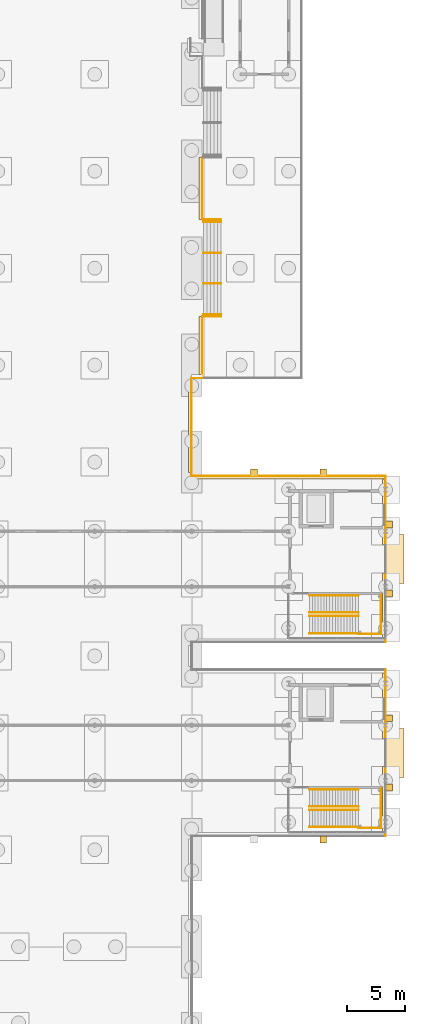
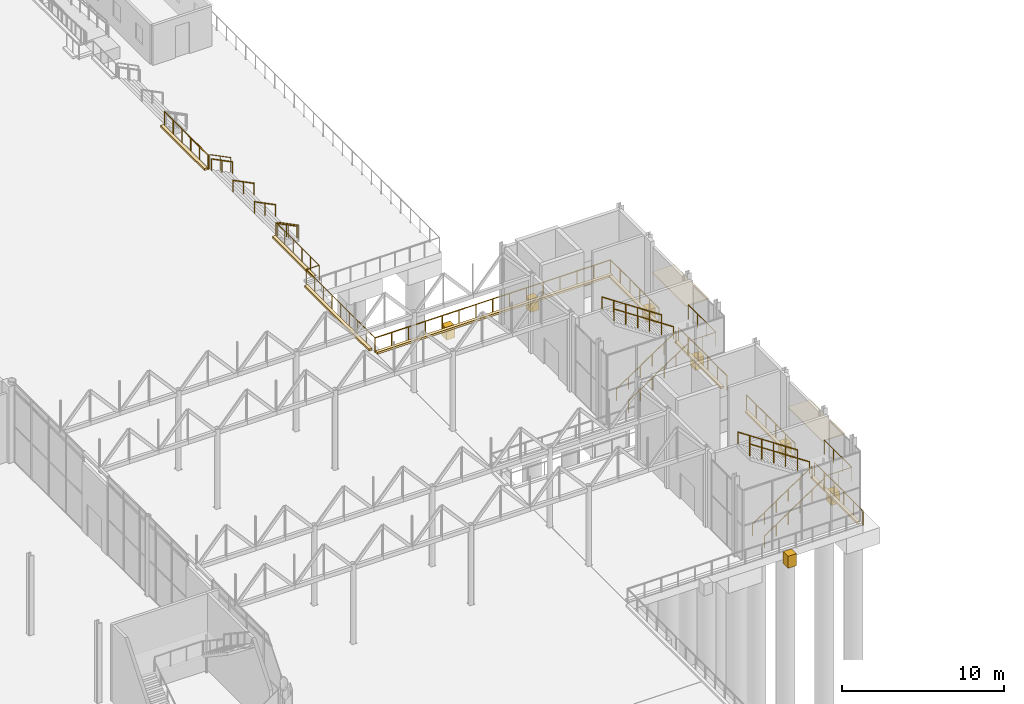
# One storey, part 198 of 212: 23 railings, 17 coverings.
"""IFC4 building model written with IfcOpenShell, lengths in metres."""

from ifc_helpers import new_model, si_unit, direction, frame, origin, origin_2d, place, context, subcontext, project, spatial, rectangle, circle, extrude, material, layer, layer_set, type_object, element, save


model = new_model("IFC4")

# Units and contexts
model_context = context("Model", 3, precision=1e-05, world=origin(), true_north=direction((0.0, 1.0)))
body_context = subcontext(model_context, "Body", "Model", "MODEL_VIEW")
ifc_project = project(units=[si_unit("LENGTHUNIT", "METRE"), si_unit("AREAUNIT", "SQUARE_METRE"), si_unit("VOLUMEUNIT", "CUBIC_METRE"), si_unit("PLANEANGLEUNIT", "RADIAN"), si_unit("MASSUNIT", "GRAM", prefix="KILO")], contexts=[model_context])

# Site, building, storey
site_placement = place(None, origin())
site = spatial("IfcSite", under=ifc_project, at=site_placement, CompositionType="ELEMENT")
building_placement = place(site_placement, origin())
building = spatial("IfcBuilding", under=site, at=building_placement, Name="Catenary Quay Ferry Terminal", CompositionType="ELEMENT")
storey_placement = place(building_placement, origin())
storey = spatial("IfcBuildingStorey", under=building, at=storey_placement, Name="L00", CompositionType="ELEMENT", Elevation=0.0)

# Coverings
ifc_material_1 = material(Name="Rubber, EPDM 70 Shore A")
ifc_layer_1 = layer(ifc_material_1, 0.60009765625)
ifc_layer_set_1 = layer_set([ifc_layer_1], Name="FD1")
covering_type_1 = type_object("IfcCoveringType", Name="FD1", PredefinedType="CLADDING", material=ifc_layer_set_1)
for number, where, z_axis, x_axis, name in (
    (1, (134.699951171875, 72.60009765625, -0.89990234375), (0.0, 0.0, 1.0), (1.0, 0.0, 0.0), "Rubber cell fender"),
    (2, (134.699951171875, 78.60009765625, -0.89990234375), (0.0, 0.0, 1.0), (1.0, 0.0, 0.0), "Rubber cell fender"),
    (3, (129.0, 68.10009765625, -0.89990234375), (0.0, 0.0, 1.0), (1.0, 0.0, 0.0), "Rubber cell fender"),
    (4, (134.699951171875, 89.39990234375, -0.89990234375), (0.0, 0.0, 1.0), (1.0, 0.0, 0.0), "Rubber cell fender"),
    (5, (134.699951171875, 95.39990234375, -0.89990234375), (0.0, 0.0, 1.0), (1.0, 0.0, 0.0), "Rubber cell fender"),
    (6, (123.0, 99.89990234375, -0.89990234375), (0.0, 0.0, 1.0), (1.0, 0.0, 0.0), "Rubber cell fender"),
    (7, (129.0, 99.89990234375, -0.89990234375), (0.0, 0.0, 1.0), (1.0, 0.0, 0.0), "Rubber cell fender"),
):
    element("IfcCovering", number, at=place(storey_placement, frame(where, z_axis=z_axis, x_axis=x_axis)), inside=storey, type_object=covering_type_1, Name=name, PredefinedType="CLADDING", context=body_context, shape_type="SweptSolid", body=[
        extrude(rectangle(XDim=0.60009765625, YDim=0.60009765625, at=origin_2d()), origin(), (0.0, 0.0, 1.0), 0.89990234375),
    ])

# Railings
ifc_material_2 = material(Name="Steel and glass", Category="steel")
railing_type_1 = type_object("IfcRailingType", Name="GH1", PredefinedType="GUARDRAIL", material=ifc_material_2)
railing_1_placement = place(storey_placement, frame((132.050048828125, 69.10009765625, 3.0)))
element("IfcRailing", 8, at=railing_1_placement, inside=storey, type_object=railing_type_1, Name="Berth head stair guard HB1", PredefinedType="GUARDRAIL", context=body_context, shape_type="SweptSolid", body=[
    extrude(circle(Radius=0.02392578125, at=origin_2d()), frame((0.0, 0.0, 1.076171875), z_axis=(1.0, 0.0, 0.0), x_axis=(0.0, 1.0, 0.0)), (0.0, 0.0, 1.0), 1.949951171875),
    extrude(circle(Radius=0.02392578125, at=origin_2d()), frame((1.949951171875, 0.0, 1.076171875), z_axis=(0.0, 1.0, 0.0), x_axis=(-1.0, 0.0, 0.0)), (0.0, 0.0, 1.0), 3.39990234375),
    extrude(circle(Radius=0.02099609375, at=origin_2d()), origin(), (0.0, 0.0, 1.0), 1.052001953125),
    extrude(circle(Radius=0.02099609375, at=origin_2d()), frame((0.97509765625, 0.0, 0.0)), (0.0, 0.0, 1.0), 1.052001953125),
    extrude(circle(Radius=0.02099609375, at=origin_2d()), frame((1.949951171875, 0.0, 0.0)), (0.0, 0.0, 1.0), 1.052001953125),
    extrude(circle(Radius=0.02099609375, at=origin_2d()), frame((1.949951171875, 1.13330078125, 0.0)), (0.0, 0.0, 1.0), 1.052001953125),
    extrude(circle(Radius=0.02099609375, at=origin_2d()), frame((1.949951171875, 2.2666015625, 0.0)), (0.0, 0.0, 1.0), 1.052001953125),
    extrude(circle(Radius=0.02099609375, at=origin_2d()), frame((1.949951171875, 3.39990234375, 0.0)), (0.0, 0.0, 1.0), 1.052001953125),
])
railing_2_placement = place(storey_placement, frame((132.050048828125, 85.89990234375, 3.0)))
element("IfcRailing", 9, at=railing_2_placement, inside=storey, type_object=railing_type_1, Name="Berth head stair guard HB2", PredefinedType="GUARDRAIL", context=body_context, shape_type="SweptSolid", body=[
    extrude(circle(Radius=0.02392578125, at=origin_2d()), frame((0.0, 0.0, 1.076171875), z_axis=(1.0, 0.0, 0.0), x_axis=(0.0, 1.0, 0.0)), (0.0, 0.0, 1.0), 1.949951171875),
    extrude(circle(Radius=0.02392578125, at=origin_2d()), frame((1.949951171875, 0.0, 1.076171875), z_axis=(0.0, 1.0, 0.0), x_axis=(-1.0, 0.0, 0.0)), (0.0, 0.0, 1.0), 3.400146484375),
    extrude(circle(Radius=0.02099609375, at=origin_2d()), origin(), (0.0, 0.0, 1.0), 1.052001953125),
    extrude(circle(Radius=0.02099609375, at=origin_2d()), frame((0.97509765625, 0.0, 0.0)), (0.0, 0.0, 1.0), 1.052001953125),
    extrude(circle(Radius=0.02099609375, at=origin_2d()), frame((1.949951171875, 0.0, 0.0)), (0.0, 0.0, 1.0), 1.052001953125),
    extrude(circle(Radius=0.02099609375, at=origin_2d()), frame((1.949951171875, 1.13330078125, 0.0)), (0.0, 0.0, 1.0), 1.052001953125),
    extrude(circle(Radius=0.02099609375, at=origin_2d()), frame((1.949951171875, 2.266845703125, 0.0)), (0.0, 0.0, 1.0), 1.052001953125),
    extrude(circle(Radius=0.02099609375, at=origin_2d()), frame((1.949951171875, 3.400146484375, 0.0)), (0.0, 0.0, 1.0), 1.052001953125),
])
ifc_material_3 = material(Name="Galvanised steel", Category="steel")
railing_type_2 = type_object("IfcRailingType", Name="GQ1", PredefinedType="GUARDRAIL", material=ifc_material_3)
for number, where, name in (
    (10, (134.39990234375, 68.39990234375, 0.0), "EAST EDGE OF BH1"),
    (11, (134.39990234375, 76.800048828125, 0.0), "EAST EDGE OF BH1"),
):
    element("IfcRailing", number, at=place(storey_placement, frame(where)), inside=storey, type_object=railing_type_2, Name=name, PredefinedType="GUARDRAIL", context=body_context, shape_type="SweptSolid", body=[
        extrude(circle(Radius=0.02392578125, at=origin_2d()), frame((0.0, 0.0, 1.076171875), z_axis=(0.0, 1.0, 0.0), x_axis=(-1.0, 0.0, 0.0)), (0.0, 0.0, 1.0), 6.0),
        extrude(circle(Radius=0.02099609375, at=origin_2d()), origin(), (0.0, 0.0, 1.0), 1.052001953125),
        extrude(circle(Radius=0.02099609375, at=origin_2d()), frame((0.0, 1.199951171875, 0.0)), (0.0, 0.0, 1.0), 1.052001953125),
        extrude(circle(Radius=0.02099609375, at=origin_2d()), frame((0.0, 2.39990234375, 0.0)), (0.0, 0.0, 1.0), 1.052001953125),
        extrude(circle(Radius=0.02099609375, at=origin_2d()), frame((0.0, 3.60009765625, 0.0)), (0.0, 0.0, 1.0), 1.052001953125),
        extrude(circle(Radius=0.02099609375, at=origin_2d()), frame((0.0, 4.800048828125, 0.0)), (0.0, 0.0, 1.0), 1.052001953125),
        extrude(circle(Radius=0.02099609375, at=origin_2d()), frame((0.0, 6.0, 0.0)), (0.0, 0.0, 1.0), 1.052001953125),
    ])
railing_3_placement = place(storey_placement, frame((117.60009765625, 99.60009765625, 0.0)))
element("IfcRailing", 12, at=railing_3_placement, inside=storey, type_object=railing_type_2, Name="NORTH EDGE OF BH2", PredefinedType="GUARDRAIL", context=body_context, shape_type="SweptSolid", body=[
    extrude(circle(Radius=0.02392578125, at=origin_2d()), frame((0.0, 0.0, 1.076171875), z_axis=(1.0, 0.0, 0.0), x_axis=(0.0, 1.0, 0.0)), (0.0, 0.0, 1.0), 16.7998046875),
    extrude(circle(Radius=0.02099609375, at=origin_2d()), origin(), (0.0, 0.0, 1.0), 1.052001953125),
    extrude(circle(Radius=0.02099609375, at=origin_2d()), frame((1.199951171875, 0.0, 0.0)), (0.0, 0.0, 1.0), 1.052001953125),
    extrude(circle(Radius=0.02099609375, at=origin_2d()), frame((2.39990234375, 0.0, 0.0)), (0.0, 0.0, 1.0), 1.052001953125),
    extrude(circle(Radius=0.02099609375, at=origin_2d()), frame((3.599853515625, 0.0, 0.0)), (0.0, 0.0, 1.0), 1.052001953125),
    extrude(circle(Radius=0.02099609375, at=origin_2d()), frame((4.800048828125, 0.0, 0.0)), (0.0, 0.0, 1.0), 1.052001953125),
    extrude(circle(Radius=0.02099609375, at=origin_2d()), frame((6.0, 0.0, 0.0)), (0.0, 0.0, 1.0), 1.052001953125),
    extrude(circle(Radius=0.02099609375, at=origin_2d()), frame((7.199951171875, 0.0, 0.0)), (0.0, 0.0, 1.0), 1.052001953125),
    extrude(circle(Radius=0.02099609375, at=origin_2d()), frame((8.39990234375, 0.0, 0.0)), (0.0, 0.0, 1.0), 1.052001953125),
    extrude(circle(Radius=0.02099609375, at=origin_2d()), frame((9.599853515625, 0.0, 0.0)), (0.0, 0.0, 1.0), 1.052001953125),
    extrude(circle(Radius=0.02099609375, at=origin_2d()), frame((10.7998046875, 0.0, 0.0)), (0.0, 0.0, 1.0), 1.052001953125),
    extrude(circle(Radius=0.02099609375, at=origin_2d()), frame((11.999755859375, 0.0, 0.0)), (0.0, 0.0, 1.0), 1.052001953125),
    extrude(circle(Radius=0.02099609375, at=origin_2d()), frame((13.199951171875, 0.0, 0.0)), (0.0, 0.0, 1.0), 1.052001953125),
    extrude(circle(Radius=0.02099609375, at=origin_2d()), frame((14.39990234375, 0.0, 0.0)), (0.0, 0.0, 1.0), 1.052001953125),
    extrude(circle(Radius=0.02099609375, at=origin_2d()), frame((15.599853515625, 0.0, 0.0)), (0.0, 0.0, 1.0), 1.052001953125),
    extrude(circle(Radius=0.02099609375, at=origin_2d()), frame((16.7998046875, 0.0, 0.0)), (0.0, 0.0, 1.0), 1.052001953125),
])
for number, where, name in (
    (13, (134.39990234375, 85.199951171875, 0.0), "EAST EDGE OF BH2"),
    (14, (134.39990234375, 93.60009765625, 0.0), "EAST EDGE OF BH2"),
):
    element("IfcRailing", number, at=place(storey_placement, frame(where)), inside=storey, type_object=railing_type_2, Name=name, PredefinedType="GUARDRAIL", context=body_context, shape_type="SweptSolid", body=[
        extrude(circle(Radius=0.02392578125, at=origin_2d()), frame((0.0, 0.0, 1.076171875), z_axis=(0.0, 1.0, 0.0), x_axis=(-1.0, 0.0, 0.0)), (0.0, 0.0, 1.0), 6.0),
        extrude(circle(Radius=0.02099609375, at=origin_2d()), origin(), (0.0, 0.0, 1.0), 1.052001953125),
        extrude(circle(Radius=0.02099609375, at=origin_2d()), frame((0.0, 1.199951171875, 0.0)), (0.0, 0.0, 1.0), 1.052001953125),
        extrude(circle(Radius=0.02099609375, at=origin_2d()), frame((0.0, 2.39990234375, 0.0)), (0.0, 0.0, 1.0), 1.052001953125),
        extrude(circle(Radius=0.02099609375, at=origin_2d()), frame((0.0, 3.60009765625, 0.0)), (0.0, 0.0, 1.0), 1.052001953125),
        extrude(circle(Radius=0.02099609375, at=origin_2d()), frame((0.0, 4.800048828125, 0.0)), (0.0, 0.0, 1.0), 1.052001953125),
        extrude(circle(Radius=0.02099609375, at=origin_2d()), frame((0.0, 6.0, 0.0)), (0.0, 0.0, 1.0), 1.052001953125),
    ])
railing_4_placement = place(storey_placement, frame((117.60009765625, 99.60009765625, 0.0)))
element("IfcRailing", 15, at=railing_4_placement, inside=storey, type_object=railing_type_2, Name="RIVER EDGE OF THE QUAY DECK", PredefinedType="GUARDRAIL", context=body_context, shape_type="SweptSolid", body=[
    extrude(circle(Radius=0.02392578125, at=origin_2d()), frame((0.0, 0.0, 1.076171875), z_axis=(0.0, 1.0, 0.0), x_axis=(-1.0, 0.0, 0.0)), (0.0, 0.0, 1.0), 8.5),
    extrude(circle(Radius=0.02392578125, at=origin_2d()), frame((0.0, 8.5, 1.076171875), z_axis=(1.0, 0.0, 0.0), x_axis=(0.0, 1.0, 0.0)), (0.0, 0.0, 1.0), 0.919921875),
    extrude(circle(Radius=0.02392578125, at=origin_2d()), frame((0.919921875, 8.5, 1.076171875), z_axis=(0.0, 1.0, 0.0), x_axis=(-1.0, 0.0, 0.0)), (0.0, 0.0, 1.0), 5.2998046875),
    extrude(circle(Radius=0.02099609375, at=origin_2d()), origin(), (0.0, 0.0, 1.0), 1.052001953125),
    extrude(circle(Radius=0.02099609375, at=origin_2d()), frame((0.0, 1.0625, 0.0)), (0.0, 0.0, 1.0), 1.052001953125),
    extrude(circle(Radius=0.02099609375, at=origin_2d()), frame((0.0, 2.125, 0.0)), (0.0, 0.0, 1.0), 1.052001953125),
    extrude(circle(Radius=0.02099609375, at=origin_2d()), frame((0.0, 3.1875, 0.0)), (0.0, 0.0, 1.0), 1.052001953125),
    extrude(circle(Radius=0.02099609375, at=origin_2d()), frame((0.0, 4.25, 0.0)), (0.0, 0.0, 1.0), 1.052001953125),
    extrude(circle(Radius=0.02099609375, at=origin_2d()), frame((0.0, 5.3125, 0.0)), (0.0, 0.0, 1.0), 1.052001953125),
    extrude(circle(Radius=0.02099609375, at=origin_2d()), frame((0.0, 6.375, 0.0)), (0.0, 0.0, 1.0), 1.052001953125),
    extrude(circle(Radius=0.02099609375, at=origin_2d()), frame((0.0, 7.4375, 0.0)), (0.0, 0.0, 1.0), 1.052001953125),
    extrude(circle(Radius=0.02099609375, at=origin_2d()), frame((0.0, 8.5, 0.0)), (0.0, 0.0, 1.0), 1.052001953125),
    extrude(circle(Radius=0.02099609375, at=origin_2d()), frame((0.919921875, 8.5, 0.0)), (0.0, 0.0, 1.0), 1.052001953125),
    extrude(circle(Radius=0.02099609375, at=origin_2d()), frame((0.919921875, 9.56005859375, 0.0)), (0.0, 0.0, 1.0), 1.052001953125),
    extrude(circle(Radius=0.02099609375, at=origin_2d()), frame((0.919921875, 10.619873046875, 0.0)), (0.0, 0.0, 1.0), 1.052001953125),
    extrude(circle(Radius=0.02099609375, at=origin_2d()), frame((0.919921875, 11.679931640625, 0.0)), (0.0, 0.0, 1.0), 1.052001953125),
    extrude(circle(Radius=0.02099609375, at=origin_2d()), frame((0.919921875, 12.73974609375, 0.0)), (0.0, 0.0, 1.0), 1.052001953125),
    extrude(circle(Radius=0.02099609375, at=origin_2d()), frame((0.919921875, 13.7998046875, 0.0)), (0.0, 0.0, 1.0), 1.052001953125),
])
railing_5_placement = place(storey_placement, frame((118.52001953125, 121.800048828125, 0.0)))
element("IfcRailing", 16, at=railing_5_placement, inside=storey, type_object=railing_type_2, Name="EDGE OF THE QUAY-EDGE BAND", PredefinedType="GUARDRAIL", context=body_context, shape_type="SweptSolid", body=[
    extrude(circle(Radius=0.02392578125, at=origin_2d()), frame((0.0, 0.0, 1.076171875), z_axis=(0.0, 1.0, 0.0), x_axis=(-1.0, 0.0, 0.0)), (0.0, 0.0, 1.0), 5.39990234375),
    extrude(circle(Radius=0.02099609375, at=origin_2d()), origin(), (0.0, 0.0, 1.0), 1.052001953125),
    extrude(circle(Radius=0.02099609375, at=origin_2d()), frame((0.0, 1.080078125, 0.0)), (0.0, 0.0, 1.0), 1.052001953125),
    extrude(circle(Radius=0.02099609375, at=origin_2d()), frame((0.0, 2.159912109375, 0.0)), (0.0, 0.0, 1.0), 1.052001953125),
    extrude(circle(Radius=0.02099609375, at=origin_2d()), frame((0.0, 3.239990234375, 0.0)), (0.0, 0.0, 1.0), 1.052001953125),
    extrude(circle(Radius=0.02099609375, at=origin_2d()), frame((0.0, 4.31982421875, 0.0)), (0.0, 0.0, 1.0), 1.052001953125),
    extrude(circle(Radius=0.02099609375, at=origin_2d()), frame((0.0, 5.39990234375, 0.0)), (0.0, 0.0, 1.0), 1.052001953125),
])
ifc_material_4 = material(Name="Galvanised steel", Category="steel")
railing_type_3 = type_object("IfcRailingType", Name="GR2", PredefinedType="GUARDRAIL", material=ifc_material_4)
for number, where, name in (
    (17, (118.6298828125, 113.39990234375, 0.0), "Guard beside river steps 1"),
    (18, (118.6298828125, 121.800048828125, 0.0), "Guard beside river steps 1"),
):
    element("IfcRailing", number, at=place(storey_placement, frame(where)), inside=storey, type_object=railing_type_3, Name=name, PredefinedType="GUARDRAIL", context=body_context, shape_type="SweptSolid", body=[
        extrude(circle(Radius=0.02392578125, at=origin_2d()), frame((0.0, 0.0, 1.076171875), z_axis=(0.894427191, 0.0, -0.4472135955), x_axis=(0.0, 1.0, 0.0)), (0.0, 0.0, 1.0), 1.677001953125),
        extrude(circle(Radius=0.02099609375, at=origin_2d()), origin(), (0.0, 0.0, 1.0), 1.052001953125),
        extrude(circle(Radius=0.02099609375, at=origin_2d()), frame((0.75, 0.0, -0.375)), (0.0, 0.0, 1.0), 1.052001953125),
        extrude(circle(Radius=0.02099609375, at=origin_2d()), frame((1.5, 0.0, -0.75)), (0.0, 0.0, 1.0), 1.052001953125),
    ])
ifc_material_5 = material(Name="Stainless steel", Category="steel")
railing_type_4 = type_object("IfcRailingType", Name="HR1", PredefinedType="HANDRAIL", material=ifc_material_5)
for number, where, name in (
    (19, (127.800048828125, 69.159912109375, 0.166748046875), "HB1 F1A handrail HR47"),
    (20, (127.800048828125, 70.639892578125, 0.166748046875), "HB1 F1B handrail HR48"),
):
    element("IfcRailing", number, at=place(storey_placement, frame(where)), inside=storey, type_object=railing_type_4, Name=name, PredefinedType="HANDRAIL", context=body_context, shape_type="SweptSolid", body=[
        extrude(circle(Radius=0.02392578125, at=origin_2d()), frame((0.0, 0.0, 0.8759765625), z_axis=(0.832057647715, 0.0, 0.554689166001), x_axis=(0.0, 1.0, 0.0)), (0.0, 0.0, 1.0), 5.10791015625),
        extrude(circle(Radius=0.02099609375, at=origin_2d()), origin(), (0.0, 0.0, 1.0), 0.851806640625),
        extrude(circle(Radius=0.02099609375, at=origin_2d()), frame((0.85009765625, 0.0, 0.566650390625)), (0.0, 0.0, 1.0), 0.851806640625),
        extrude(circle(Radius=0.02099609375, at=origin_2d()), frame((1.699951171875, 0.0, 1.13330078125)), (0.0, 0.0, 1.0), 0.851806640625),
        extrude(circle(Radius=0.02099609375, at=origin_2d()), frame((2.550048828125, 0.0, 1.699951171875)), (0.0, 0.0, 1.0), 0.851806640625),
        extrude(circle(Radius=0.02099609375, at=origin_2d()), frame((3.39990234375, 0.0, 2.2666015625)), (0.0, 0.0, 1.0), 0.851806640625),
        extrude(circle(Radius=0.02099609375, at=origin_2d()), frame((4.25, 0.0, 2.833251953125)), (0.0, 0.0, 1.0), 0.851806640625),
    ])
for number, where, name in (
    (21, (132.050048828125, 70.9599609375, 3.166748046875), "HB1 F2A handrail HR49"),
    (22, (132.050048828125, 72.43994140625, 3.166748046875), "HB1 F2B handrail HR50"),
):
    element("IfcRailing", number, at=place(storey_placement, frame(where)), inside=storey, type_object=railing_type_4, Name=name, PredefinedType="HANDRAIL", context=body_context, shape_type="SweptSolid", body=[
        extrude(circle(Radius=0.02392578125, at=origin_2d()), frame((0.0, 0.0, 0.8759765625), z_axis=(-0.832057647715, 0.0, 0.554689166001), x_axis=(0.0, -1.0, 0.0)), (0.0, 0.0, 1.0), 5.10791015625),
        extrude(circle(Radius=0.02099609375, at=origin_2d()), origin(), (0.0, 0.0, 1.0), 0.851806640625),
        extrude(circle(Radius=0.02099609375, at=origin_2d()), frame((-0.85009765625, 0.0, 0.566650390625)), (0.0, 0.0, 1.0), 0.851806640625),
        extrude(circle(Radius=0.02099609375, at=origin_2d()), frame((-1.699951171875, 0.0, 1.13330078125)), (0.0, 0.0, 1.0), 0.851806640625),
        extrude(circle(Radius=0.02099609375, at=origin_2d()), frame((-2.550048828125, 0.0, 1.699951171875)), (0.0, 0.0, 1.0), 0.851806640625),
        extrude(circle(Radius=0.02099609375, at=origin_2d()), frame((-3.39990234375, 0.0, 2.2666015625)), (0.0, 0.0, 1.0), 0.851806640625),
        extrude(circle(Radius=0.02099609375, at=origin_2d()), frame((-4.25, 0.0, 2.833251953125)), (0.0, 0.0, 1.0), 0.851806640625),
    ])
for number, where, name in (
    (23, (127.800048828125, 85.9599609375, 0.166748046875), "HB2 F1A handrail HR56"),
    (24, (127.800048828125, 87.43994140625, 0.166748046875), "HB2 F1B handrail HR57"),
):
    element("IfcRailing", number, at=place(storey_placement, frame(where)), inside=storey, type_object=railing_type_4, Name=name, PredefinedType="HANDRAIL", context=body_context, shape_type="SweptSolid", body=[
        extrude(circle(Radius=0.02392578125, at=origin_2d()), frame((0.0, 0.0, 0.8759765625), z_axis=(0.832057647715, 0.0, 0.554689166001), x_axis=(0.0, 1.0, 0.0)), (0.0, 0.0, 1.0), 5.10791015625),
        extrude(circle(Radius=0.02099609375, at=origin_2d()), origin(), (0.0, 0.0, 1.0), 0.851806640625),
        extrude(circle(Radius=0.02099609375, at=origin_2d()), frame((0.85009765625, 0.0, 0.566650390625)), (0.0, 0.0, 1.0), 0.851806640625),
        extrude(circle(Radius=0.02099609375, at=origin_2d()), frame((1.699951171875, 0.0, 1.13330078125)), (0.0, 0.0, 1.0), 0.851806640625),
        extrude(circle(Radius=0.02099609375, at=origin_2d()), frame((2.550048828125, 0.0, 1.699951171875)), (0.0, 0.0, 1.0), 0.851806640625),
        extrude(circle(Radius=0.02099609375, at=origin_2d()), frame((3.39990234375, 0.0, 2.2666015625)), (0.0, 0.0, 1.0), 0.851806640625),
        extrude(circle(Radius=0.02099609375, at=origin_2d()), frame((4.25, 0.0, 2.833251953125)), (0.0, 0.0, 1.0), 0.851806640625),
    ])
for number, where, name in (
    (25, (132.050048828125, 87.760009765625, 3.166748046875), "HB2 F2A handrail HR58"),
    (26, (132.050048828125, 89.239990234375, 3.166748046875), "HB2 F2B handrail HR59"),
):
    element("IfcRailing", number, at=place(storey_placement, frame(where)), inside=storey, type_object=railing_type_4, Name=name, PredefinedType="HANDRAIL", context=body_context, shape_type="SweptSolid", body=[
        extrude(circle(Radius=0.02392578125, at=origin_2d()), frame((0.0, 0.0, 0.8759765625), z_axis=(-0.832057647715, 0.0, 0.554689166001), x_axis=(0.0, -1.0, 0.0)), (0.0, 0.0, 1.0), 5.10791015625),
        extrude(circle(Radius=0.02099609375, at=origin_2d()), origin(), (0.0, 0.0, 1.0), 0.851806640625),
        extrude(circle(Radius=0.02099609375, at=origin_2d()), frame((-0.85009765625, 0.0, 0.566650390625)), (0.0, 0.0, 1.0), 0.851806640625),
        extrude(circle(Radius=0.02099609375, at=origin_2d()), frame((-1.699951171875, 0.0, 1.13330078125)), (0.0, 0.0, 1.0), 0.851806640625),
        extrude(circle(Radius=0.02099609375, at=origin_2d()), frame((-2.550048828125, 0.0, 1.699951171875)), (0.0, 0.0, 1.0), 0.851806640625),
        extrude(circle(Radius=0.02099609375, at=origin_2d()), frame((-3.39990234375, 0.0, 2.2666015625)), (0.0, 0.0, 1.0), 0.851806640625),
        extrude(circle(Radius=0.02099609375, at=origin_2d()), frame((-4.25, 0.0, 2.833251953125)), (0.0, 0.0, 1.0), 0.851806640625),
    ])
ifc_material_6 = material(Name="Stainless steel", Category="steel")
railing_type_5 = type_object("IfcRailingType", Name="HR2", PredefinedType="HANDRAIL", material=ifc_material_6)
for number, where, name in (
    (27, (118.6298828125, 113.60009765625, 0.0), "Handrail river steps 1"),
    (28, (118.6298828125, 116.2666015625, 0.0), "Handrail river steps 1"),
    (29, (118.6298828125, 118.933349609375, 0.0), "Handrail river steps 1"),
    (30, (118.6298828125, 121.60009765625, 0.0), "Handrail river steps 1"),
):
    element("IfcRailing", number, at=place(storey_placement, frame(where)), inside=storey, type_object=railing_type_5, Name=name, PredefinedType="HANDRAIL", context=body_context, shape_type="SweptSolid", body=[
        extrude(circle(Radius=0.02392578125, at=origin_2d()), frame((0.0, 0.0, 0.8759765625), z_axis=(0.894427191, 0.0, -0.4472135955), x_axis=(0.0, 1.0, 0.0)), (0.0, 0.0, 1.0), 1.677001953125),
        extrude(circle(Radius=0.02099609375, at=origin_2d()), origin(), (0.0, 0.0, 1.0), 0.851806640625),
        extrude(circle(Radius=0.02099609375, at=origin_2d()), frame((0.75, 0.0, -0.375)), (0.0, 0.0, 1.0), 0.851806640625),
        extrude(circle(Radius=0.02099609375, at=origin_2d()), frame((1.5, 0.0, -0.75)), (0.0, 0.0, 1.0), 0.851806640625),
    ])

# Coverings
ifc_material_7 = material(Name="Precast concrete C35/45", Category="concrete")
ifc_layer_2 = layer(ifc_material_7, 0.14990234375)
ifc_layer_set_2 = layer_set([ifc_layer_2], Name="KB1")
covering_type_2 = type_object("IfcCoveringType", Name="KB1", PredefinedType="FLOORING", material=ifc_layer_set_2)
for number, where, z_axis, x_axis, name in (
    (31, (134.22998046875, 71.5400390625, 0.0), (0.0, 0.0, 1.0), (1.0, 0.0, 0.0), "Edge kerb upstand"),
    (32, (134.22998046875, 79.659912109375, 0.0), (0.0, 0.0, 1.0), (1.0, 0.0, 0.0), "Edge kerb upstand"),
):
    element("IfcCovering", number, at=place(storey_placement, frame(where, z_axis=z_axis, x_axis=x_axis)), inside=storey, type_object=covering_type_2, Name=name, PredefinedType="FLOORING", context=body_context, shape_type="SweptSolid", body=[
        extrude(rectangle(XDim=0.219970703125, YDim=5.719970703125, at=origin_2d()), origin(), (0.0, 0.0, 1.0), 0.14990234375),
    ])
covering_1_placement = place(storey_placement, frame((126.0, 99.429931640625, 0.0), z_axis=(0.0, 0.0, 1.0), x_axis=(1.0, 0.0, 0.0)))
element("IfcCovering", 33, at=covering_1_placement, inside=storey, type_object=covering_type_2, Name="Edge kerb upstand", PredefinedType="FLOORING", context=body_context, shape_type="SweptSolid", body=[
    extrude(rectangle(XDim=16.800048828125, YDim=0.219970703125, at=origin_2d()), origin(), (0.0, 0.0, 1.0), 0.14990234375),
])
for number, where, z_axis, x_axis, name in (
    (34, (134.22998046875, 88.340087890625, 0.0), (0.0, 0.0, 1.0), (1.0, 0.0, 0.0), "Edge kerb upstand"),
    (35, (134.22998046875, 96.4599609375, 0.0), (0.0, 0.0, 1.0), (1.0, 0.0, 0.0), "Edge kerb upstand"),
):
    element("IfcCovering", number, at=place(storey_placement, frame(where, z_axis=z_axis, x_axis=x_axis)), inside=storey, type_object=covering_type_2, Name=name, PredefinedType="FLOORING", context=body_context, shape_type="SweptSolid", body=[
        extrude(rectangle(XDim=0.219970703125, YDim=5.719970703125, at=origin_2d()), origin(), (0.0, 0.0, 1.0), 0.14990234375),
    ])
covering_2_placement = place(storey_placement, frame((117.429931640625, 103.85009765625, 0.0), z_axis=(0.0, 0.0, 1.0), x_axis=(1.0, 0.0, 0.0)))
element("IfcCovering", 36, at=covering_2_placement, inside=storey, type_object=covering_type_2, Name="Edge kerb upstand", PredefinedType="FLOORING", context=body_context, shape_type="SweptSolid", body=[
    extrude(rectangle(XDim=0.219970703125, YDim=7.93994140625, at=origin_2d()), origin(), (0.0, 0.0, 1.0), 0.14990234375),
])
covering_3_placement = place(storey_placement, frame((118.35009765625, 110.889892578125, 0.0), z_axis=(0.0, 0.0, 1.0), x_axis=(1.0, 0.0, 0.0)))
element("IfcCovering", 37, at=covering_3_placement, inside=storey, type_object=covering_type_2, Name="Edge kerb upstand", PredefinedType="FLOORING", context=body_context, shape_type="SweptSolid", body=[
    extrude(rectangle(XDim=0.219970703125, YDim=5.02001953125, at=origin_2d()), origin(), (0.0, 0.0, 1.0), 0.14990234375),
])
covering_4_placement = place(storey_placement, frame((118.35009765625, 124.5, 0.0), z_axis=(0.0, 0.0, 1.0), x_axis=(1.0, 0.0, 0.0)))
element("IfcCovering", 38, at=covering_4_placement, inside=storey, type_object=covering_type_2, Name="Edge kerb upstand", PredefinedType="FLOORING", context=body_context, shape_type="SweptSolid", body=[
    extrude(rectangle(XDim=0.219970703125, YDim=5.39990234375, at=origin_2d()), origin(), (0.0, 0.0, 1.0), 0.14990234375),
])
ifc_material_8 = material(Name="Ceramic tile roofing")
ifc_layer_3 = layer(ifc_material_8, 0.080078125)
ifc_layer_set_3 = layer_set([ifc_layer_3], Name="RF1")
covering_type_3 = type_object("IfcCoveringType", Name="RF1", PredefinedType="ROOFING", material=ifc_layer_set_3)
for number, where, z_axis, x_axis, name in (
    (39, (135.199951171875, 75.577392578125, 3.199951171875), (0.0, 0.0, 1.0), (1.0, 0.0, 0.0), "Head house entrance canopy"),
    (40, (135.199951171875, 92.37744140625, 3.199951171875), (0.0, 0.0, 1.0), (1.0, 0.0, 0.0), "Head house entrance canopy"),
):
    element("IfcCovering", number, at=place(storey_placement, frame(where, z_axis=z_axis, x_axis=x_axis)), inside=storey, type_object=covering_type_3, Name=name, PredefinedType="ROOFING", context=body_context, shape_type="SweptSolid", body=[
        extrude(rectangle(XDim=1.60009765625, YDim=4.2451171875, at=origin_2d()), origin(), (0.0, 0.0, 1.0), 0.080078125),
    ])

save(model, "model.ifc")
